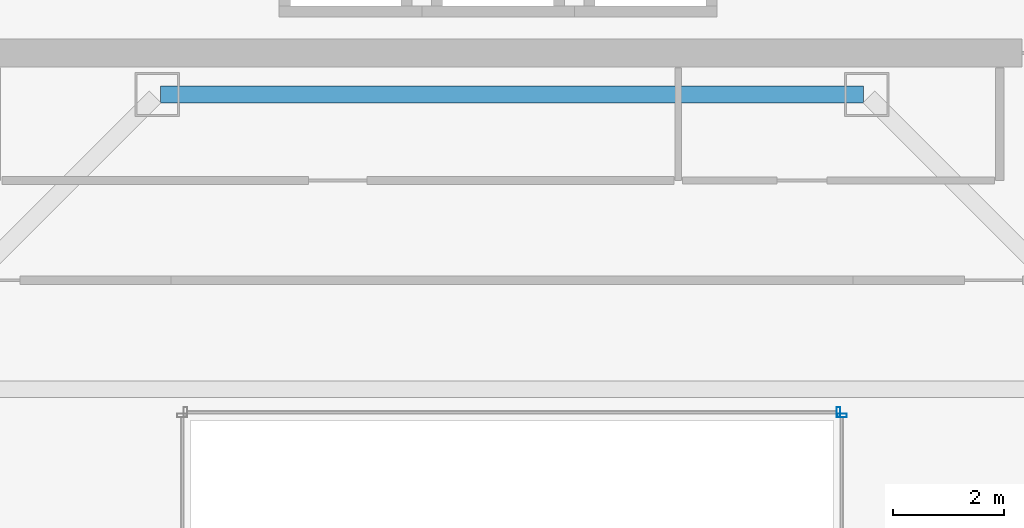
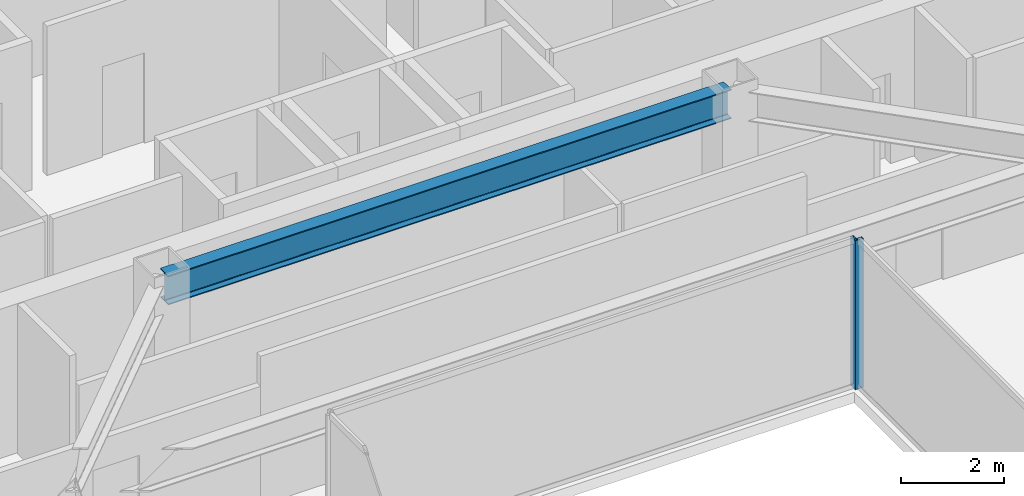
# One storey, part 15 of 36: 2 members, 1 beam, 2 elements without a shape of their own.
"""IFC4 building model written with IfcOpenShell, lengths in metres."""

from ifc_helpers import new_model, si_unit, direction, frame, origin, origin_2d, place, context, subcontext, project, spatial, hollow_rectangle, i_section, extrude, material, material_profile, profile_set, type_object, element, aggregate, save


model = new_model("IFC4")

# Units and contexts
model_context = context("Model", 3, precision=1e-05, world=origin(), true_north=direction((0.0, 1.0)))
body_context = subcontext(model_context, "Body", "Model", "MODEL_VIEW")
ifc_project = project(units=[si_unit("LENGTHUNIT", "METRE"), si_unit("AREAUNIT", "SQUARE_METRE"), si_unit("VOLUMEUNIT", "CUBIC_METRE"), si_unit("PLANEANGLEUNIT", "RADIAN"), si_unit("MASSUNIT", "GRAM", prefix="KILO")], contexts=[model_context])

# Site, building, storey
site_placement = place(None, origin())
site = spatial("IfcSite", under=ifc_project, at=site_placement, CompositionType="ELEMENT")
building_placement = place(site_placement, origin())
building = spatial("IfcBuilding", under=site, at=building_placement, Name="Saevonmaru Cultural Tower", CompositionType="ELEMENT")
storey_placement = place(building_placement, frame((0.0, 0.0, 205.60009765625)))
storey = spatial("IfcBuildingStorey", under=building, at=storey_placement, Name="L47", CompositionType="ELEMENT", Elevation=205.60009765625)

# Beam
ifc_material_1 = material(Name="Steel SM355", Category="steel")
ifc_material_profile_1 = material_profile(ifc_material_1, i_section(OverallWidth=0.300048828125, OverallDepth=0.699951171875, WebThickness=0.012939453125, FlangeThickness=0.02392578125, FilletRadius=0.02587890625, at=origin_2d()), Name="H-700x300x13x24")
ifc_profile_set_1 = profile_set([ifc_material_profile_1], Name="Steel SM355")
beam_type = type_object("IfcBeamType", Name="BM-G-H700", PredefinedType="BEAM", material=ifc_profile_set_1)
beam_placement = place(storey_placement, frame((23.659912109375, 42.39990234375, 3.199951171875), z_axis=(1.0, 0.0, 0.0), x_axis=(0.0, 1.0, 0.0)))
element("IfcBeam", 1, at=beam_placement, inside=storey, type_object=beam_type, Name="L47 Core South Girder 3", PredefinedType="BEAM", context=body_context, shape_type="SweptSolid", body=[
    extrude(i_section(OverallWidth=0.300048828125, OverallDepth=0.699951171875, WebThickness=0.012939453125, FlangeThickness=0.02392578125, FilletRadius=0.02587890625, at=origin_2d()), origin(), (0.0, 0.0, 1.0), 12.68017578125),
])

# Curtain wall, member
ifc_material_2 = material(Name="Satin Bronze Anodised Aluminium", Category="aluminium")
curtain_wall_type = type_object("IfcCurtainWallType", Name="CW-ATR-GLZ", PredefinedType="NOTDEFINED", material=ifc_material_2)
curtain_wall_1_placement = place(storey_placement, origin())
curtain_wall_1 = element("IfcCurtainWall", 2, at=curtain_wall_1_placement, inside=storey, type_object=curtain_wall_type, Name="L47 Vertical Atrium Glazed Smoke Screen 2", PredefinedType="NOTDEFINED")
ifc_material_profile_2 = material_profile(ifc_material_2, hollow_rectangle(XDim=0.06494140625, YDim=0.179931640625, WallThickness=0.00390625, at=origin_2d()), Name="ALU-MULL-180x65x4")
ifc_profile_set_2 = profile_set([ifc_material_profile_2], Name="Satin Bronze Anodised Aluminium")
member_type = type_object("IfcMemberType", Name="ML-CW-INT-180x65", PredefinedType="MULLION", material=ifc_profile_set_2)
member_1_placement = place(storey_placement, frame((35.949951171875, 36.610107421875, 0.0), z_axis=(0.0, 0.0, 1.0), x_axis=(0.0, 1.0, 0.0)))
member_1 = element("IfcMember", 3, at=member_1_placement, type_object=member_type, Name="CW-ATR-L47-2 mullion 2", PredefinedType="MULLION", context=body_context, shape_type="SweptSolid", body=[
    extrude(hollow_rectangle(XDim=0.06494140625, YDim=0.179931640625, WallThickness=0.00390625, at=origin_2d()), origin(), (0.0, 0.0, 1.0), 3.5498046875),
])
aggregate(curtain_wall_1, [member_1])

curtain_wall_2_placement = place(storey_placement, origin())
curtain_wall_2 = element("IfcCurtainWall", 4, at=curtain_wall_2_placement, inside=storey, type_object=curtain_wall_type, Name="L47 Vertical Atrium Glazed Smoke Screen 3", PredefinedType="NOTDEFINED")
member_2_placement = place(storey_placement, frame((35.889892578125, 36.669921875, 0.0), z_axis=(0.0, 0.0, 1.0), x_axis=(-1.0, 0.0, 0.0)))
member_2 = element("IfcMember", 5, at=member_2_placement, type_object=member_type, Name="CW-ATR-L47-3 mullion 1", PredefinedType="MULLION", context=body_context, shape_type="SweptSolid", body=[
    extrude(hollow_rectangle(XDim=0.06494140625, YDim=0.179931640625, WallThickness=0.00390625, at=origin_2d()), origin(), (0.0, 0.0, 1.0), 3.5498046875),
])
aggregate(curtain_wall_2, [member_2])

save(model, "model.ifc")
